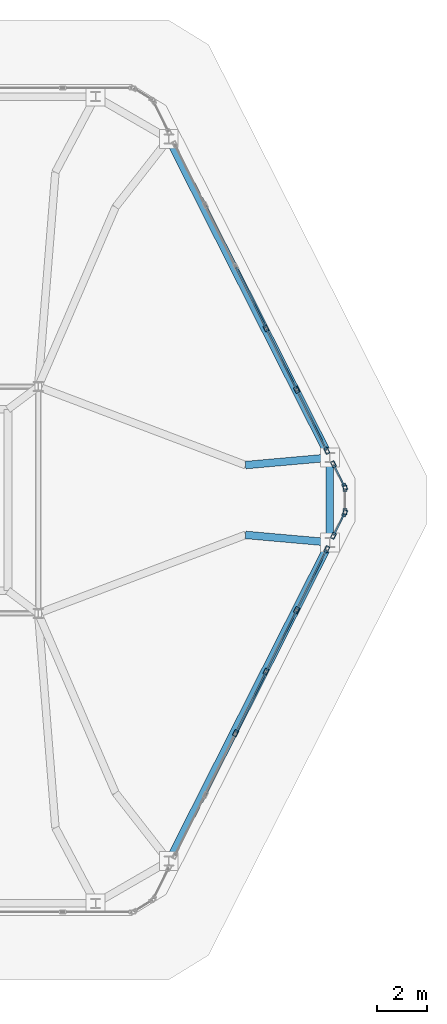
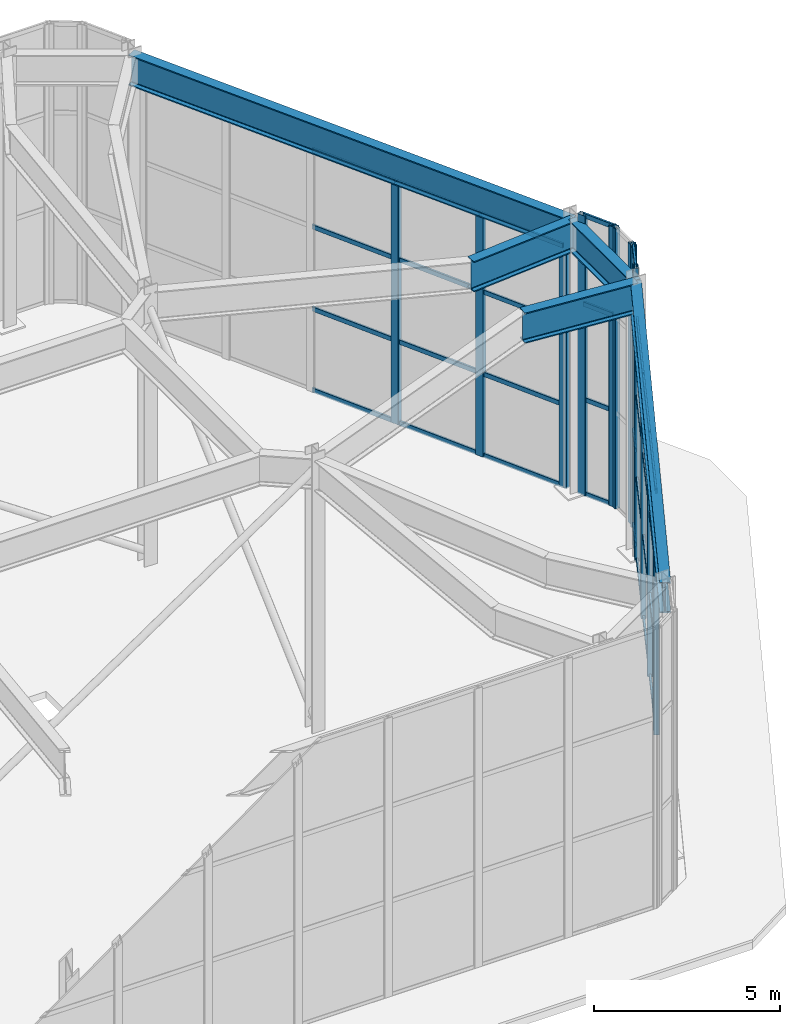
# One storey, part 7 of 12: 45 members, 5 beams, 5 elements without a shape of their own.
"""IFC4 building model written with IfcOpenShell, lengths in metres."""

from ifc_helpers import new_model, si_unit, direction, frame, origin, origin_2d, place, context, subcontext, project, spatial, hollow_rectangle, i_section, extrude, material, layer, layer_set, material_profile, profile_set, type_object, element, aggregate, save


model = new_model("IFC4")

# Units and contexts
model_context = context("Model", 3, precision=1e-05, world=origin(), true_north=direction((0.0, 1.0)))
body_context = subcontext(model_context, "Body", "Model", "MODEL_VIEW")
ifc_project = project(units=[si_unit("LENGTHUNIT", "METRE"), si_unit("AREAUNIT", "SQUARE_METRE"), si_unit("VOLUMEUNIT", "CUBIC_METRE"), si_unit("PLANEANGLEUNIT", "RADIAN"), si_unit("MASSUNIT", "GRAM", prefix="KILO")], contexts=[model_context])

# Site, building, storey
site_placement = place(None, origin())
site = spatial("IfcSite", under=ifc_project, at=site_placement, CompositionType="ELEMENT")
building_placement = place(site_placement, origin())
building = spatial("IfcBuilding", under=site, at=building_placement, Name="Cinnabar Lancet Tower", CompositionType="ELEMENT")
storey_placement = place(building_placement, frame((0.0, 0.0, 305.5)))
storey = spatial("IfcBuildingStorey", under=building, at=storey_placement, Name="L80", CompositionType="ELEMENT", Elevation=305.5)

# Curtain wall, members
ifc_material_1 = material(Name="Thermally broken bronze-anodized aluminium and low-E glass", Category="aluminium")
ifc_layer = layer(ifc_material_1, 0.179931640625)
ifc_layer_set = layer_set([ifc_layer], Name="Thermally broken bronze-anodized aluminium and low-E glass")
curtain_wall_type = type_object("IfcCurtainWallType", Name="ENV-CW-SYS-05", PredefinedType="NOTDEFINED", material=ifc_layer_set)
curtain_wall_1_placement = place(storey_placement, origin())
curtain_wall_1 = element("IfcCurtainWall", 1, at=curtain_wall_1_placement, inside=storey, type_object=curtain_wall_type, Name="L80 Faceted Lancet Crown Curtain Wall 5", PredefinedType="NOTDEFINED")
ifc_material_2 = material(Name="Anodized architectural aluminium 6063-T6", Category="aluminium")
ifc_material_profile_1 = material_profile(ifc_material_2, hollow_rectangle(XDim=0.14990234375, YDim=0.25, WallThickness=0.010009765625, InnerFilletRadius=0.0048828125, OuterFilletRadius=0.014892578125, at=origin_2d()), Name="RHS 250x150x10")
ifc_profile_set_1 = profile_set([ifc_material_profile_1], Name="Anodized architectural aluminium 6063-T6")
member_type_1 = type_object("IfcMemberType", Name="ENV-CW-MUL-260", PredefinedType="MULLION", material=ifc_profile_set_1)
member_1_placement = place(storey_placement, frame((46.23291015625, 16.544677734375, 0.0), z_axis=(0.0, 0.0, 1.0), x_axis=(-0.8959477521, 0.44415945955, 0.0)))
member_1 = element("IfcMember", 2, at=member_1_placement, type_object=member_type_1, Name="CW-05 mullion 3", PredefinedType="MULLION", context=body_context, shape_type="SweptSolid", body=[
    extrude(hollow_rectangle(XDim=0.14990234375, YDim=0.25, WallThickness=0.010009765625, InnerFilletRadius=0.0048828125, OuterFilletRadius=0.014892578125, at=origin_2d()), origin(), (0.0, 0.0, 1.0), 7.9150390625),
])
member_2_placement = place(storey_placement, frame((47.444091796875, 18.9873046875, 0.0), z_axis=(0.0, 0.0, 1.0), x_axis=(-0.8959477521, 0.44415945955, 0.0)))
member_2 = element("IfcMember", 3, at=member_2_placement, type_object=member_type_1, Name="CW-05 mullion 4", PredefinedType="MULLION", context=body_context, shape_type="SweptSolid", body=[
    extrude(hollow_rectangle(XDim=0.14990234375, YDim=0.25, WallThickness=0.010009765625, InnerFilletRadius=0.0048828125, OuterFilletRadius=0.014892578125, at=origin_2d()), origin(), (0.0, 0.0, 1.0), 7.9150390625),
])
member_3_placement = place(storey_placement, frame((48.655029296875, 21.43017578125, 0.0), z_axis=(0.0, 0.0, 1.0), x_axis=(-0.8959477521, 0.44415945955, 0.0)))
member_3 = element("IfcMember", 4, at=member_3_placement, type_object=member_type_1, Name="CW-05 mullion 5", PredefinedType="MULLION", context=body_context, shape_type="SweptSolid", body=[
    extrude(hollow_rectangle(XDim=0.14990234375, YDim=0.25, WallThickness=0.010009765625, InnerFilletRadius=0.0048828125, OuterFilletRadius=0.014892578125, at=origin_2d()), origin(), (0.0, 0.0, 1.0), 7.9150390625),
])
member_4_placement = place(storey_placement, frame((49.852783203125, 23.84619140625, 0.0), z_axis=(0.0, 0.0, 1.0), x_axis=(-0.8959477521, 0.44415945955, 0.0)))
member_4 = element("IfcMember", 5, at=member_4_placement, type_object=member_type_1, Name="CW-05 mullion 6", PredefinedType="MULLION", context=body_context, shape_type="SweptSolid", body=[
    extrude(hollow_rectangle(XDim=0.14990234375, YDim=0.25, WallThickness=0.010009765625, InnerFilletRadius=0.0048828125, OuterFilletRadius=0.014892578125, at=origin_2d()), origin(), (0.0, 0.0, 1.0), 7.9150390625),
])

curtain_wall_2_placement = place(storey_placement, origin())
curtain_wall_2 = element("IfcCurtainWall", 6, at=curtain_wall_2_placement, inside=storey, type_object=curtain_wall_type, Name="L80 Faceted Lancet Crown Curtain Wall 6", PredefinedType="NOTDEFINED")
member_5_placement = place(storey_placement, frame((50.118408203125, 24.3828125, 0.0), z_axis=(0.0, 0.0, 1.0), x_axis=(-0.895741955534, 0.444574345971, 0.0)))
member_5 = element("IfcMember", 7, at=member_5_placement, type_object=member_type_1, Name="CW-05 mullion 1", PredefinedType="MULLION", context=body_context, shape_type="SweptSolid", body=[
    extrude(hollow_rectangle(XDim=0.14990234375, YDim=0.25, WallThickness=0.010009765625, InnerFilletRadius=0.0048828125, OuterFilletRadius=0.014892578125, at=origin_2d()), origin(), (0.0, 0.0, 1.0), 9.175048828125),
])
member_6_placement = place(storey_placement, frame((50.563720703125, 25.280029296875, 0.0), z_axis=(0.0, 0.0, 1.0), x_axis=(-0.895741955534, 0.444574345971, 0.0)))
member_6 = element("IfcMember", 8, at=member_6_placement, type_object=member_type_1, Name="CW-05 mullion 2", PredefinedType="MULLION", context=body_context, shape_type="SweptSolid", body=[
    extrude(hollow_rectangle(XDim=0.14990234375, YDim=0.25, WallThickness=0.010009765625, InnerFilletRadius=0.0048828125, OuterFilletRadius=0.014892578125, at=origin_2d()), origin(), (0.0, 0.0, 1.0), 9.175048828125),
])

curtain_wall_3_placement = place(storey_placement, origin())
curtain_wall_3 = element("IfcCurtainWall", 9, at=curtain_wall_3_placement, inside=storey, type_object=curtain_wall_type, Name="L80 Faceted Lancet Crown Curtain Wall 7", PredefinedType="NOTDEFINED")
member_7_placement = place(storey_placement, frame((50.576904296875, 25.3369140625, 0.0), z_axis=(0.0, 0.0, 1.0), x_axis=(-1.0, 0.0, 0.0)))
member_7 = element("IfcMember", 10, at=member_7_placement, type_object=member_type_1, Name="CW-05 mullion 1", PredefinedType="MULLION", context=body_context, shape_type="SweptSolid", body=[
    extrude(hollow_rectangle(XDim=0.14990234375, YDim=0.25, WallThickness=0.010009765625, InnerFilletRadius=0.0048828125, OuterFilletRadius=0.014892578125, at=origin_2d()), origin(), (0.0, 0.0, 1.0), 9.175048828125),
])
member_8_placement = place(storey_placement, frame((50.576904296875, 26.262939453125, 0.0), z_axis=(0.0, 0.0, 1.0), x_axis=(-1.0, 0.0, 0.0)))
member_8 = element("IfcMember", 11, at=member_8_placement, type_object=member_type_1, Name="CW-05 mullion 2", PredefinedType="MULLION", context=body_context, shape_type="SweptSolid", body=[
    extrude(hollow_rectangle(XDim=0.14990234375, YDim=0.25, WallThickness=0.010009765625, InnerFilletRadius=0.0048828125, OuterFilletRadius=0.014892578125, at=origin_2d()), origin(), (0.0, 0.0, 1.0), 9.175048828125),
])
aggregate(curtain_wall_3, [member_7, member_8])

curtain_wall_4_placement = place(storey_placement, origin())
curtain_wall_4 = element("IfcCurtainWall", 12, at=curtain_wall_4_placement, inside=storey, type_object=curtain_wall_type, Name="L80 Faceted Lancet Crown Curtain Wall 8", PredefinedType="NOTDEFINED")
member_9_placement = place(storey_placement, frame((50.563720703125, 26.31982421875, 0.0), z_axis=(0.0, 0.0, 1.0), x_axis=(-0.895741955534, -0.444574345971, 0.0)))
member_9 = element("IfcMember", 13, at=member_9_placement, type_object=member_type_1, Name="CW-05 mullion 1", PredefinedType="MULLION", context=body_context, shape_type="SweptSolid", body=[
    extrude(hollow_rectangle(XDim=0.14990234375, YDim=0.25, WallThickness=0.010009765625, InnerFilletRadius=0.0048828125, OuterFilletRadius=0.014892578125, at=origin_2d()), origin(), (0.0, 0.0, 1.0), 9.175048828125),
])
member_10_placement = place(storey_placement, frame((50.118408203125, 27.217041015625, 0.0), z_axis=(0.0, 0.0, 1.0), x_axis=(-0.895741955534, -0.444574345971, 0.0)))
member_10 = element("IfcMember", 14, at=member_10_placement, type_object=member_type_1, Name="CW-05 mullion 2", PredefinedType="MULLION", context=body_context, shape_type="SweptSolid", body=[
    extrude(hollow_rectangle(XDim=0.14990234375, YDim=0.25, WallThickness=0.010009765625, InnerFilletRadius=0.0048828125, OuterFilletRadius=0.014892578125, at=origin_2d()), origin(), (0.0, 0.0, 1.0), 9.175048828125),
])

curtain_wall_5_placement = place(storey_placement, origin())
curtain_wall_5 = element("IfcCurtainWall", 15, at=curtain_wall_5_placement, inside=storey, type_object=curtain_wall_type, Name="L80 Faceted Lancet Crown Curtain Wall 9", PredefinedType="NOTDEFINED")
member_11_placement = place(storey_placement, frame((49.852783203125, 27.75390625, 0.0), z_axis=(0.0, 0.0, 1.0), x_axis=(-0.8959477521, -0.44415945955, 0.0)))
member_11 = element("IfcMember", 16, at=member_11_placement, type_object=member_type_1, Name="CW-05 mullion 1", PredefinedType="MULLION", context=body_context, shape_type="SweptSolid", body=[
    extrude(hollow_rectangle(XDim=0.14990234375, YDim=0.25, WallThickness=0.010009765625, InnerFilletRadius=0.0048828125, OuterFilletRadius=0.014892578125, at=origin_2d()), origin(), (0.0, 0.0, 1.0), 7.9150390625),
])
member_12_placement = place(storey_placement, frame((48.655029296875, 30.169921875, 0.0), z_axis=(0.0, 0.0, 1.0), x_axis=(-0.8959477521, -0.44415945955, 0.0)))
member_12 = element("IfcMember", 17, at=member_12_placement, type_object=member_type_1, Name="CW-05 mullion 2", PredefinedType="MULLION", context=body_context, shape_type="SweptSolid", body=[
    extrude(hollow_rectangle(XDim=0.14990234375, YDim=0.25, WallThickness=0.010009765625, InnerFilletRadius=0.0048828125, OuterFilletRadius=0.014892578125, at=origin_2d()), origin(), (0.0, 0.0, 1.0), 7.9150390625),
])
member_13_placement = place(storey_placement, frame((47.444091796875, 32.612548828125, 0.0), z_axis=(0.0, 0.0, 1.0), x_axis=(-0.8959477521, -0.44415945955, 0.0)))
member_13 = element("IfcMember", 18, at=member_13_placement, type_object=member_type_1, Name="CW-05 mullion 3", PredefinedType="MULLION", context=body_context, shape_type="SweptSolid", body=[
    extrude(hollow_rectangle(XDim=0.14990234375, YDim=0.25, WallThickness=0.010009765625, InnerFilletRadius=0.0048828125, OuterFilletRadius=0.014892578125, at=origin_2d()), origin(), (0.0, 0.0, 1.0), 7.9150390625),
])

# Member
ifc_material_3 = material(Name="Anodized architectural aluminium 6063-T6", Category="aluminium")
ifc_material_profile_2 = material_profile(ifc_material_3, hollow_rectangle(XDim=0.06494140625, YDim=0.14990234375, WallThickness=0.00390625, InnerFilletRadius=0.001953125, OuterFilletRadius=0.006103515625, at=origin_2d()), Name="CW-TRN 150x65x4")
ifc_profile_set_2 = profile_set([ifc_material_profile_2], Name="Anodized architectural aluminium 6063-T6")
member_type_2 = type_object("IfcMemberType", Name="ENV-CW-TRN-160", PredefinedType="USERDEFINED", material=ifc_profile_set_2)
member_14_placement = place(storey_placement, frame((46.246337890625, 16.571533203125, 0.030029296875), z_axis=(0.444171127726, 0.895941967593, 0.0), x_axis=(-0.895941967593, 0.444171127726, 0.0)))
member_14 = element("IfcMember", 19, at=member_14_placement, type_object=member_type_2, Name="CW-05 transom 3.1", ObjectType="TRANSOM", PredefinedType="USERDEFINED", context=body_context, shape_type="SweptSolid", body=[
    extrude(hollow_rectangle(XDim=0.06494140625, YDim=0.14990234375, WallThickness=0.00390625, InnerFilletRadius=0.001953125, OuterFilletRadius=0.006103515625, at=origin_2d()), origin(), (0.0, 0.0, 1.0), 2.666259765625),
])

member_15_placement = place(storey_placement, frame((46.246337890625, 16.571533203125, 2.69091796875), z_axis=(0.444171127726, 0.895941967593, 0.0), x_axis=(-0.895941967593, 0.444171127726, 0.0)))
member_15 = element("IfcMember", 20, at=member_15_placement, type_object=member_type_2, Name="CW-05 transom 3.2", ObjectType="TRANSOM", PredefinedType="USERDEFINED", context=body_context, shape_type="SweptSolid", body=[
    extrude(hollow_rectangle(XDim=0.06494140625, YDim=0.14990234375, WallThickness=0.00390625, InnerFilletRadius=0.001953125, OuterFilletRadius=0.006103515625, at=origin_2d()), origin(), (0.0, 0.0, 1.0), 2.666259765625),
])

member_16_placement = place(storey_placement, frame((46.246337890625, 16.571533203125, 5.382080078125), z_axis=(0.444171127726, 0.895941967593, 0.0), x_axis=(-0.895941967593, 0.444171127726, 0.0)))
member_16 = element("IfcMember", 21, at=member_16_placement, type_object=member_type_2, Name="CW-05 transom 3.3", ObjectType="TRANSOM", PredefinedType="USERDEFINED", context=body_context, shape_type="SweptSolid", body=[
    extrude(hollow_rectangle(XDim=0.06494140625, YDim=0.14990234375, WallThickness=0.00390625, InnerFilletRadius=0.001953125, OuterFilletRadius=0.006103515625, at=origin_2d()), origin(), (0.0, 0.0, 1.0), 2.666259765625),
])

member_17_placement = place(storey_placement, frame((46.246337890625, 16.571533203125, 7.885009765625), z_axis=(0.444171127726, 0.895941967593, 0.0), x_axis=(-0.895941967593, 0.444171127726, 0.0)))
member_17 = element("IfcMember", 22, at=member_17_placement, type_object=member_type_2, Name="CW-05 transom 3.4", ObjectType="TRANSOM", PredefinedType="USERDEFINED", context=body_context, shape_type="SweptSolid", body=[
    extrude(hollow_rectangle(XDim=0.06494140625, YDim=0.14990234375, WallThickness=0.00390625, InnerFilletRadius=0.001953125, OuterFilletRadius=0.006103515625, at=origin_2d()), origin(), (0.0, 0.0, 1.0), 2.666259765625),
])

member_18_placement = place(storey_placement, frame((47.457275390625, 19.01416015625, 0.030029296875), z_axis=(0.44413469279, 0.895960029611, 0.0), x_axis=(-0.895960029611, 0.44413469279, 0.0)))
member_18 = element("IfcMember", 23, at=member_18_placement, type_object=member_type_2, Name="CW-05 transom 4.1", ObjectType="TRANSOM", PredefinedType="USERDEFINED", context=body_context, shape_type="SweptSolid", body=[
    extrude(hollow_rectangle(XDim=0.06494140625, YDim=0.14990234375, WallThickness=0.00390625, InnerFilletRadius=0.001953125, OuterFilletRadius=0.006103515625, at=origin_2d()), origin(), (0.0, 0.0, 1.0), 2.66650390625),
])

member_19_placement = place(storey_placement, frame((47.457275390625, 19.01416015625, 2.69091796875), z_axis=(0.44413469279, 0.895960029611, 0.0), x_axis=(-0.895960029611, 0.44413469279, 0.0)))
member_19 = element("IfcMember", 24, at=member_19_placement, type_object=member_type_2, Name="CW-05 transom 4.2", ObjectType="TRANSOM", PredefinedType="USERDEFINED", context=body_context, shape_type="SweptSolid", body=[
    extrude(hollow_rectangle(XDim=0.06494140625, YDim=0.14990234375, WallThickness=0.00390625, InnerFilletRadius=0.001953125, OuterFilletRadius=0.006103515625, at=origin_2d()), origin(), (0.0, 0.0, 1.0), 2.66650390625),
])

member_20_placement = place(storey_placement, frame((47.457275390625, 19.01416015625, 5.382080078125), z_axis=(0.44413469279, 0.895960029611, 0.0), x_axis=(-0.895960029611, 0.44413469279, 0.0)))
member_20 = element("IfcMember", 25, at=member_20_placement, type_object=member_type_2, Name="CW-05 transom 4.3", ObjectType="TRANSOM", PredefinedType="USERDEFINED", context=body_context, shape_type="SweptSolid", body=[
    extrude(hollow_rectangle(XDim=0.06494140625, YDim=0.14990234375, WallThickness=0.00390625, InnerFilletRadius=0.001953125, OuterFilletRadius=0.006103515625, at=origin_2d()), origin(), (0.0, 0.0, 1.0), 2.66650390625),
])

member_21_placement = place(storey_placement, frame((47.457275390625, 19.01416015625, 7.885009765625), z_axis=(0.44413469279, 0.895960029611, 0.0), x_axis=(-0.895960029611, 0.44413469279, 0.0)))
member_21 = element("IfcMember", 26, at=member_21_placement, type_object=member_type_2, Name="CW-05 transom 4.4", ObjectType="TRANSOM", PredefinedType="USERDEFINED", context=body_context, shape_type="SweptSolid", body=[
    extrude(hollow_rectangle(XDim=0.06494140625, YDim=0.14990234375, WallThickness=0.00390625, InnerFilletRadius=0.001953125, OuterFilletRadius=0.006103515625, at=origin_2d()), origin(), (0.0, 0.0, 1.0), 2.66650390625),
])

member_22_placement = place(storey_placement, frame((48.668212890625, 21.45703125, 0.030029296875), z_axis=(0.44417393063, 0.895940578023, 0.0), x_axis=(-0.895940578023, 0.44417393063, 0.0)))
member_22 = element("IfcMember", 27, at=member_22_placement, type_object=member_type_2, Name="CW-05 transom 5.1", ObjectType="TRANSOM", PredefinedType="USERDEFINED", context=body_context, shape_type="SweptSolid", body=[
    extrude(hollow_rectangle(XDim=0.06494140625, YDim=0.14990234375, WallThickness=0.00390625, InnerFilletRadius=0.001953125, OuterFilletRadius=0.006103515625, at=origin_2d()), origin(), (0.0, 0.0, 1.0), 2.63671875),
])

member_23_placement = place(storey_placement, frame((48.668212890625, 21.45703125, 2.69091796875), z_axis=(0.44417393063, 0.895940578023, 0.0), x_axis=(-0.895940578023, 0.44417393063, 0.0)))
member_23 = element("IfcMember", 28, at=member_23_placement, type_object=member_type_2, Name="CW-05 transom 5.2", ObjectType="TRANSOM", PredefinedType="USERDEFINED", context=body_context, shape_type="SweptSolid", body=[
    extrude(hollow_rectangle(XDim=0.06494140625, YDim=0.14990234375, WallThickness=0.00390625, InnerFilletRadius=0.001953125, OuterFilletRadius=0.006103515625, at=origin_2d()), origin(), (0.0, 0.0, 1.0), 2.63671875),
])

member_24_placement = place(storey_placement, frame((48.668212890625, 21.45703125, 5.382080078125), z_axis=(0.44417393063, 0.895940578023, 0.0), x_axis=(-0.895940578023, 0.44417393063, 0.0)))
member_24 = element("IfcMember", 29, at=member_24_placement, type_object=member_type_2, Name="CW-05 transom 5.3", ObjectType="TRANSOM", PredefinedType="USERDEFINED", context=body_context, shape_type="SweptSolid", body=[
    extrude(hollow_rectangle(XDim=0.06494140625, YDim=0.14990234375, WallThickness=0.00390625, InnerFilletRadius=0.001953125, OuterFilletRadius=0.006103515625, at=origin_2d()), origin(), (0.0, 0.0, 1.0), 2.63671875),
])

member_25_placement = place(storey_placement, frame((48.668212890625, 21.45703125, 7.885009765625), z_axis=(0.44417393063, 0.895940578023, 0.0), x_axis=(-0.895940578023, 0.44417393063, 0.0)))
member_25 = element("IfcMember", 30, at=member_25_placement, type_object=member_type_2, Name="CW-05 transom 5.4", ObjectType="TRANSOM", PredefinedType="USERDEFINED", context=body_context, shape_type="SweptSolid", body=[
    extrude(hollow_rectangle(XDim=0.06494140625, YDim=0.14990234375, WallThickness=0.00390625, InnerFilletRadius=0.001953125, OuterFilletRadius=0.006103515625, at=origin_2d()), origin(), (0.0, 0.0, 1.0), 2.63671875),
])

aggregate(curtain_wall_1, [member_1, member_2, member_3, member_4, member_14, member_15, member_16, member_17, member_18, member_19, member_20, member_21, member_22, member_23, member_24, member_25])

member_26_placement = place(storey_placement, frame((50.131591796875, 24.40966796875, 0.030029296875), z_axis=(0.444619185166, 0.895719699561, 0.0), x_axis=(-0.895719699561, 0.444619185166, 0.0)))
member_26 = element("IfcMember", 31, at=member_26_placement, type_object=member_type_2, Name="CW-05 transom 1.1", ObjectType="TRANSOM", PredefinedType="USERDEFINED", context=body_context, shape_type="SweptSolid", body=[
    extrude(hollow_rectangle(XDim=0.06494140625, YDim=0.14990234375, WallThickness=0.00390625, InnerFilletRadius=0.001953125, OuterFilletRadius=0.006103515625, at=origin_2d()), origin(), (0.0, 0.0, 1.0), 0.941650390625),
])

member_27_placement = place(storey_placement, frame((50.131591796875, 24.40966796875, 3.1201171875), z_axis=(0.444619185166, 0.895719699561, 0.0), x_axis=(-0.895719699561, 0.444619185166, 0.0)))
member_27 = element("IfcMember", 32, at=member_27_placement, type_object=member_type_2, Name="CW-05 transom 1.2", ObjectType="TRANSOM", PredefinedType="USERDEFINED", context=body_context, shape_type="SweptSolid", body=[
    extrude(hollow_rectangle(XDim=0.06494140625, YDim=0.14990234375, WallThickness=0.00390625, InnerFilletRadius=0.001953125, OuterFilletRadius=0.006103515625, at=origin_2d()), origin(), (0.0, 0.0, 1.0), 0.941650390625),
])

member_28_placement = place(storey_placement, frame((50.131591796875, 24.40966796875, 6.239013671875), z_axis=(0.444619185166, 0.895719699561, 0.0), x_axis=(-0.895719699561, 0.444619185166, 0.0)))
member_28 = element("IfcMember", 33, at=member_28_placement, type_object=member_type_2, Name="CW-05 transom 1.3", ObjectType="TRANSOM", PredefinedType="USERDEFINED", context=body_context, shape_type="SweptSolid", body=[
    extrude(hollow_rectangle(XDim=0.06494140625, YDim=0.14990234375, WallThickness=0.00390625, InnerFilletRadius=0.001953125, OuterFilletRadius=0.006103515625, at=origin_2d()), origin(), (0.0, 0.0, 1.0), 0.941650390625),
])

member_29_placement = place(storey_placement, frame((50.131591796875, 24.40966796875, 9.14501953125), z_axis=(0.444619185166, 0.895719699561, 0.0), x_axis=(-0.895719699561, 0.444619185166, 0.0)))
member_29 = element("IfcMember", 34, at=member_29_placement, type_object=member_type_2, Name="CW-05 transom 1.4", ObjectType="TRANSOM", PredefinedType="USERDEFINED", context=body_context, shape_type="SweptSolid", body=[
    extrude(hollow_rectangle(XDim=0.06494140625, YDim=0.14990234375, WallThickness=0.00390625, InnerFilletRadius=0.001953125, OuterFilletRadius=0.006103515625, at=origin_2d()), origin(), (0.0, 0.0, 1.0), 0.941650390625),
])

aggregate(curtain_wall_2, [member_5, member_6, member_26, member_27, member_28, member_29])

member_30_placement = place(storey_placement, frame((50.55029296875, 26.3466796875, 0.030029296875), z_axis=(-0.444619185166, 0.895719699561, 0.0), x_axis=(-0.895719699561, -0.444619185166, 0.0)))
member_30 = element("IfcMember", 35, at=member_30_placement, type_object=member_type_2, Name="CW-05 transom 1.1", ObjectType="TRANSOM", PredefinedType="USERDEFINED", context=body_context, shape_type="SweptSolid", body=[
    extrude(hollow_rectangle(XDim=0.06494140625, YDim=0.14990234375, WallThickness=0.00390625, InnerFilletRadius=0.001953125, OuterFilletRadius=0.006103515625, at=origin_2d()), origin(), (0.0, 0.0, 1.0), 0.941650390625),
])

member_31_placement = place(storey_placement, frame((50.55029296875, 26.3466796875, 3.1201171875), z_axis=(-0.444619185166, 0.895719699561, 0.0), x_axis=(-0.895719699561, -0.444619185166, 0.0)))
member_31 = element("IfcMember", 36, at=member_31_placement, type_object=member_type_2, Name="CW-05 transom 1.2", ObjectType="TRANSOM", PredefinedType="USERDEFINED", context=body_context, shape_type="SweptSolid", body=[
    extrude(hollow_rectangle(XDim=0.06494140625, YDim=0.14990234375, WallThickness=0.00390625, InnerFilletRadius=0.001953125, OuterFilletRadius=0.006103515625, at=origin_2d()), origin(), (0.0, 0.0, 1.0), 0.941650390625),
])

member_32_placement = place(storey_placement, frame((50.55029296875, 26.3466796875, 6.239013671875), z_axis=(-0.444619185166, 0.895719699561, 0.0), x_axis=(-0.895719699561, -0.444619185166, 0.0)))
member_32 = element("IfcMember", 37, at=member_32_placement, type_object=member_type_2, Name="CW-05 transom 1.3", ObjectType="TRANSOM", PredefinedType="USERDEFINED", context=body_context, shape_type="SweptSolid", body=[
    extrude(hollow_rectangle(XDim=0.06494140625, YDim=0.14990234375, WallThickness=0.00390625, InnerFilletRadius=0.001953125, OuterFilletRadius=0.006103515625, at=origin_2d()), origin(), (0.0, 0.0, 1.0), 0.941650390625),
])

member_33_placement = place(storey_placement, frame((50.55029296875, 26.3466796875, 9.14501953125), z_axis=(-0.444619185166, 0.895719699561, 0.0), x_axis=(-0.895719699561, -0.444619185166, 0.0)))
member_33 = element("IfcMember", 38, at=member_33_placement, type_object=member_type_2, Name="CW-05 transom 1.4", ObjectType="TRANSOM", PredefinedType="USERDEFINED", context=body_context, shape_type="SweptSolid", body=[
    extrude(hollow_rectangle(XDim=0.06494140625, YDim=0.14990234375, WallThickness=0.00390625, InnerFilletRadius=0.001953125, OuterFilletRadius=0.006103515625, at=origin_2d()), origin(), (0.0, 0.0, 1.0), 0.941650390625),
])

aggregate(curtain_wall_4, [member_9, member_10, member_30, member_31, member_32, member_33])

member_34_placement = place(storey_placement, frame((49.83935546875, 27.78076171875, 0.030029296875), z_axis=(-0.444210781456, 0.895922307814, 0.0), x_axis=(-0.895922307814, -0.444210781456, 0.0)))
member_34 = element("IfcMember", 39, at=member_34_placement, type_object=member_type_2, Name="CW-05 transom 1.1", ObjectType="TRANSOM", PredefinedType="USERDEFINED", context=body_context, shape_type="SweptSolid", body=[
    extrude(hollow_rectangle(XDim=0.06494140625, YDim=0.14990234375, WallThickness=0.00390625, InnerFilletRadius=0.001953125, OuterFilletRadius=0.006103515625, at=origin_2d()), origin(), (0.0, 0.0, 1.0), 2.636474609375),
])

member_35_placement = place(storey_placement, frame((49.83935546875, 27.78076171875, 2.69091796875), z_axis=(-0.444210781456, 0.895922307814, 0.0), x_axis=(-0.895922307814, -0.444210781456, 0.0)))
member_35 = element("IfcMember", 40, at=member_35_placement, type_object=member_type_2, Name="CW-05 transom 1.2", ObjectType="TRANSOM", PredefinedType="USERDEFINED", context=body_context, shape_type="SweptSolid", body=[
    extrude(hollow_rectangle(XDim=0.06494140625, YDim=0.14990234375, WallThickness=0.00390625, InnerFilletRadius=0.001953125, OuterFilletRadius=0.006103515625, at=origin_2d()), origin(), (0.0, 0.0, 1.0), 2.636474609375),
])

member_36_placement = place(storey_placement, frame((49.83935546875, 27.78076171875, 5.382080078125), z_axis=(-0.444210781456, 0.895922307814, 0.0), x_axis=(-0.895922307814, -0.444210781456, 0.0)))
member_36 = element("IfcMember", 41, at=member_36_placement, type_object=member_type_2, Name="CW-05 transom 1.3", ObjectType="TRANSOM", PredefinedType="USERDEFINED", context=body_context, shape_type="SweptSolid", body=[
    extrude(hollow_rectangle(XDim=0.06494140625, YDim=0.14990234375, WallThickness=0.00390625, InnerFilletRadius=0.001953125, OuterFilletRadius=0.006103515625, at=origin_2d()), origin(), (0.0, 0.0, 1.0), 2.636474609375),
])

member_37_placement = place(storey_placement, frame((49.83935546875, 27.78076171875, 7.885009765625), z_axis=(-0.444210781456, 0.895922307814, 0.0), x_axis=(-0.895922307814, -0.444210781456, 0.0)))
member_37 = element("IfcMember", 42, at=member_37_placement, type_object=member_type_2, Name="CW-05 transom 1.4", ObjectType="TRANSOM", PredefinedType="USERDEFINED", context=body_context, shape_type="SweptSolid", body=[
    extrude(hollow_rectangle(XDim=0.06494140625, YDim=0.14990234375, WallThickness=0.00390625, InnerFilletRadius=0.001953125, OuterFilletRadius=0.006103515625, at=origin_2d()), origin(), (0.0, 0.0, 1.0), 2.636474609375),
])

member_38_placement = place(storey_placement, frame((48.6416015625, 30.19677734375, 0.030029296875), z_axis=(-0.444171127726, 0.895941967593, 0.0), x_axis=(-0.895941967593, -0.444171127726, 0.0)))
member_38 = element("IfcMember", 43, at=member_38_placement, type_object=member_type_2, Name="CW-05 transom 2.1", ObjectType="TRANSOM", PredefinedType="USERDEFINED", context=body_context, shape_type="SweptSolid", body=[
    extrude(hollow_rectangle(XDim=0.06494140625, YDim=0.14990234375, WallThickness=0.00390625, InnerFilletRadius=0.001953125, OuterFilletRadius=0.006103515625, at=origin_2d()), origin(), (0.0, 0.0, 1.0), 2.666259765625),
])

member_39_placement = place(storey_placement, frame((48.6416015625, 30.19677734375, 2.69091796875), z_axis=(-0.444171127726, 0.895941967593, 0.0), x_axis=(-0.895941967593, -0.444171127726, 0.0)))
member_39 = element("IfcMember", 44, at=member_39_placement, type_object=member_type_2, Name="CW-05 transom 2.2", ObjectType="TRANSOM", PredefinedType="USERDEFINED", context=body_context, shape_type="SweptSolid", body=[
    extrude(hollow_rectangle(XDim=0.06494140625, YDim=0.14990234375, WallThickness=0.00390625, InnerFilletRadius=0.001953125, OuterFilletRadius=0.006103515625, at=origin_2d()), origin(), (0.0, 0.0, 1.0), 2.666259765625),
])

member_40_placement = place(storey_placement, frame((48.6416015625, 30.19677734375, 5.382080078125), z_axis=(-0.444171127726, 0.895941967593, 0.0), x_axis=(-0.895941967593, -0.444171127726, 0.0)))
member_40 = element("IfcMember", 45, at=member_40_placement, type_object=member_type_2, Name="CW-05 transom 2.3", ObjectType="TRANSOM", PredefinedType="USERDEFINED", context=body_context, shape_type="SweptSolid", body=[
    extrude(hollow_rectangle(XDim=0.06494140625, YDim=0.14990234375, WallThickness=0.00390625, InnerFilletRadius=0.001953125, OuterFilletRadius=0.006103515625, at=origin_2d()), origin(), (0.0, 0.0, 1.0), 2.666259765625),
])

member_41_placement = place(storey_placement, frame((48.6416015625, 30.19677734375, 7.885009765625), z_axis=(-0.444171127726, 0.895941967593, 0.0), x_axis=(-0.895941967593, -0.444171127726, 0.0)))
member_41 = element("IfcMember", 46, at=member_41_placement, type_object=member_type_2, Name="CW-05 transom 2.4", ObjectType="TRANSOM", PredefinedType="USERDEFINED", context=body_context, shape_type="SweptSolid", body=[
    extrude(hollow_rectangle(XDim=0.06494140625, YDim=0.14990234375, WallThickness=0.00390625, InnerFilletRadius=0.001953125, OuterFilletRadius=0.006103515625, at=origin_2d()), origin(), (0.0, 0.0, 1.0), 2.666259765625),
])

member_42_placement = place(storey_placement, frame((47.4306640625, 32.639404296875, 0.030029296875), z_axis=(-0.44413469279, 0.895960029611, 0.0), x_axis=(-0.895960029611, -0.44413469279, 0.0)))
member_42 = element("IfcMember", 47, at=member_42_placement, type_object=member_type_2, Name="CW-05 transom 3.1", ObjectType="TRANSOM", PredefinedType="USERDEFINED", context=body_context, shape_type="SweptSolid", body=[
    extrude(hollow_rectangle(XDim=0.06494140625, YDim=0.14990234375, WallThickness=0.00390625, InnerFilletRadius=0.001953125, OuterFilletRadius=0.006103515625, at=origin_2d()), origin(), (0.0, 0.0, 1.0), 2.66650390625),
])

member_43_placement = place(storey_placement, frame((47.4306640625, 32.639404296875, 2.69091796875), z_axis=(-0.44413469279, 0.895960029611, 0.0), x_axis=(-0.895960029611, -0.44413469279, 0.0)))
member_43 = element("IfcMember", 48, at=member_43_placement, type_object=member_type_2, Name="CW-05 transom 3.2", ObjectType="TRANSOM", PredefinedType="USERDEFINED", context=body_context, shape_type="SweptSolid", body=[
    extrude(hollow_rectangle(XDim=0.06494140625, YDim=0.14990234375, WallThickness=0.00390625, InnerFilletRadius=0.001953125, OuterFilletRadius=0.006103515625, at=origin_2d()), origin(), (0.0, 0.0, 1.0), 2.66650390625),
])

member_44_placement = place(storey_placement, frame((47.4306640625, 32.639404296875, 5.382080078125), z_axis=(-0.44413469279, 0.895960029611, 0.0), x_axis=(-0.895960029611, -0.44413469279, 0.0)))
member_44 = element("IfcMember", 49, at=member_44_placement, type_object=member_type_2, Name="CW-05 transom 3.3", ObjectType="TRANSOM", PredefinedType="USERDEFINED", context=body_context, shape_type="SweptSolid", body=[
    extrude(hollow_rectangle(XDim=0.06494140625, YDim=0.14990234375, WallThickness=0.00390625, InnerFilletRadius=0.001953125, OuterFilletRadius=0.006103515625, at=origin_2d()), origin(), (0.0, 0.0, 1.0), 2.66650390625),
])

member_45_placement = place(storey_placement, frame((47.4306640625, 32.639404296875, 7.885009765625), z_axis=(-0.44413469279, 0.895960029611, 0.0), x_axis=(-0.895960029611, -0.44413469279, 0.0)))
member_45 = element("IfcMember", 50, at=member_45_placement, type_object=member_type_2, Name="CW-05 transom 3.4", ObjectType="TRANSOM", PredefinedType="USERDEFINED", context=body_context, shape_type="SweptSolid", body=[
    extrude(hollow_rectangle(XDim=0.06494140625, YDim=0.14990234375, WallThickness=0.00390625, InnerFilletRadius=0.001953125, OuterFilletRadius=0.006103515625, at=origin_2d()), origin(), (0.0, 0.0, 1.0), 2.66650390625),
])

aggregate(curtain_wall_5, [member_11, member_12, member_13, member_34, member_35, member_36, member_37, member_38, member_39, member_40, member_41, member_42, member_43, member_44, member_45])

# Beams
ifc_material_4 = material(Name="Structural steel S460", Category="steel")
ifc_material_profile_3 = material_profile(ifc_material_4, i_section(OverallWidth=0.300048828125, OverallDepth=1.0, WebThickness=0.01904296875, FlangeThickness=0.035888671875, FilletRadius=0.030029296875, at=origin_2d()), Name="UKB 1016x305x314")
ifc_profile_set_3 = profile_set([ifc_material_profile_3], Name="Structural steel S460")
beam_type = type_object("IfcBeamType", Name="STR-BM-UKB1016-314", PredefinedType="BEAM", material=ifc_profile_set_3)
beam_1_placement = place(storey_placement, frame((43.5810546875, 11.468994140625, 8.425048828125), z_axis=(0.45104095433, 0.892503253505, 0.0), x_axis=(-0.892503253505, 0.45104095433, 0.0)))
element("IfcBeam", 51, at=beam_1_placement, inside=storey, type_object=beam_type, Name="L81 Setback Outer Ring Girder 3", PredefinedType="BEAM", context=body_context, shape_type="SweptSolid", body=[
    extrude(i_section(OverallWidth=0.300048828125, OverallDepth=1.0, WebThickness=0.01904296875, FlangeThickness=0.035888671875, FilletRadius=0.030029296875, at=origin_2d()), origin(), (0.0, 0.0, 1.0), 14.17138671875),
])
beam_2_placement = place(storey_placement, frame((49.972900390625, 24.116943359375, 8.425048828125), z_axis=(0.0, 1.0, 0.0), x_axis=(-1.0, 0.0, 0.0)))
element("IfcBeam", 52, at=beam_2_placement, inside=storey, type_object=beam_type, Name="L81 Setback Outer Ring Girder 4", PredefinedType="BEAM", context=body_context, shape_type="SweptSolid", body=[
    extrude(i_section(OverallWidth=0.300048828125, OverallDepth=1.0, WebThickness=0.01904296875, FlangeThickness=0.035888671875, FilletRadius=0.030029296875, at=origin_2d()), origin(), (0.0, 0.0, 1.0), 3.365966796875),
])
beam_3_placement = place(storey_placement, frame((49.972900390625, 27.48291015625, 8.425048828125), z_axis=(-0.451034019278, 0.892506758212, 0.0), x_axis=(-0.892506758212, -0.451034019278, 0.0)))
element("IfcBeam", 53, at=beam_3_placement, inside=storey, type_object=beam_type, Name="L81 Setback Outer Ring Girder 5", PredefinedType="BEAM", context=body_context, shape_type="SweptSolid", body=[
    extrude(i_section(OverallWidth=0.300048828125, OverallDepth=1.0, WebThickness=0.01904296875, FlangeThickness=0.035888671875, FilletRadius=0.030029296875, at=origin_2d()), origin(), (0.0, 0.0, 1.0), 14.171630859375),
])
for number, where, z_axis, x_axis, name in (
    (54, (49.972900390625, 24.116943359375, 8.425048828125), (-0.996057104308, 0.088714401077, 0.0), (-0.088714401077, -0.996057104308, 0.0), "L81 Crown Setback Strut Girder 4"),
    (55, (49.972900390625, 27.48291015625, 8.425048828125), (-0.996063522063, -0.088642315042, 0.0), (0.088642315042, -0.996063522063, 0.0), "L81 Crown Setback Strut Girder 5"),
):
    element("IfcBeam", number, at=place(storey_placement, frame(where, z_axis=z_axis, x_axis=x_axis)), inside=storey, type_object=beam_type, Name=name, PredefinedType="BEAM", context=body_context, shape_type="SweptSolid", body=[
        extrude(i_section(OverallWidth=0.300048828125, OverallDepth=1.0, WebThickness=0.01904296875, FlangeThickness=0.035888671875, FilletRadius=0.030029296875, at=origin_2d()), origin(), (0.0, 0.0, 1.0), 3.360107421875),
    ])

save(model, "model.ifc")
